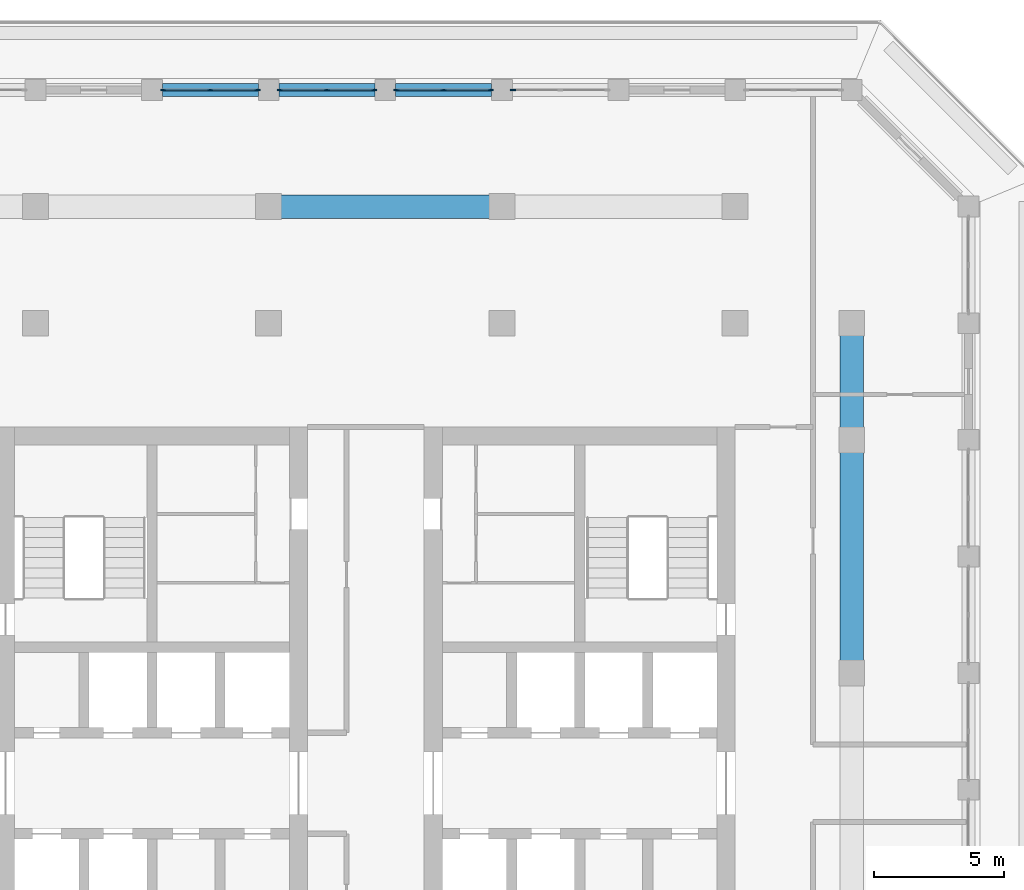
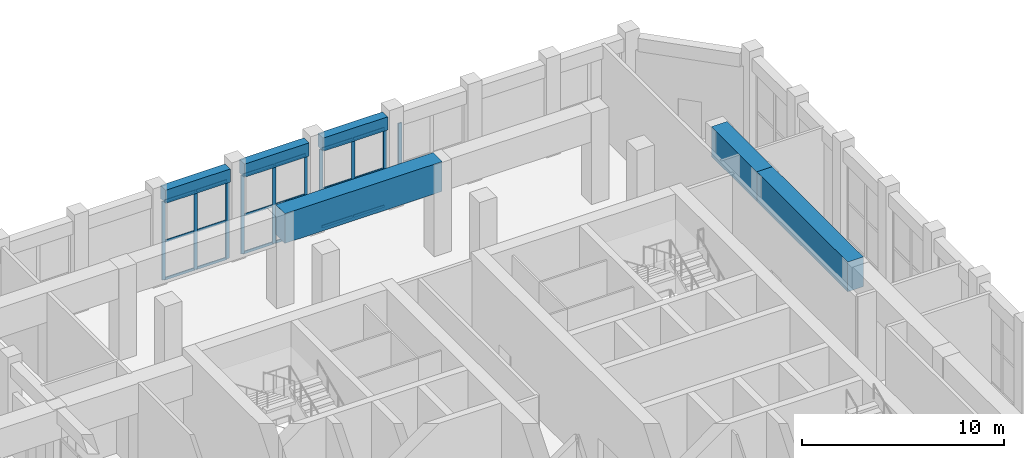
# One storey, part 7 of 25: 28 members, 6 beams, 4 elements without a shape of their own.
"""IFC4 building model written with IfcOpenShell, lengths in metres."""

from ifc_helpers import new_model, si_unit, direction, frame, origin, origin_2d, place, context, subcontext, project, spatial, rectangle, extrude, material, material_profile, profile_set, type_object, element, aggregate, save


model = new_model("IFC4")

# Units and contexts
model_context = context("Model", 3, precision=1e-05, world=origin(), true_north=direction((0.0, 1.0)))
body_context = subcontext(model_context, "Body", "Model", "MODEL_VIEW")
ifc_project = project(units=[si_unit("LENGTHUNIT", "METRE"), si_unit("AREAUNIT", "SQUARE_METRE"), si_unit("VOLUMEUNIT", "CUBIC_METRE"), si_unit("PLANEANGLEUNIT", "RADIAN"), si_unit("MASSUNIT", "GRAM", prefix="KILO")], contexts=[model_context])

# Site, building, storey
site_placement = place(None, origin())
site = spatial("IfcSite", under=ifc_project, at=site_placement, CompositionType="ELEMENT")
building_placement = place(site_placement, origin())
building = spatial("IfcBuilding", under=site, at=building_placement, Name="Corbel Stack Research Tower", CompositionType="ELEMENT")
storey_placement = place(building_placement, frame((0.0, 0.0, 260.300048828125)))
storey = spatial("IfcBuildingStorey", under=building, at=storey_placement, Name="L59", CompositionType="ELEMENT", Elevation=260.300048828125)

# Curtain wall, member
ifc_material_1 = material(Name="Aluminium frame, clear glass", Category="aluminium")
curtain_wall_type = type_object("IfcCurtainWallType", Name="Upper amenity floor curtain wall CW3", PredefinedType="NOTDEFINED", material=ifc_material_1)
curtain_wall_1_placement = place(storey_placement, origin())
curtain_wall_1 = element("IfcCurtainWall", 1, at=curtain_wall_1_placement, inside=storey, type_object=curtain_wall_type, Name="Curtain wall CW3 L59 N03", PredefinedType="NOTDEFINED")
ifc_material_2 = material(Name="Aluminium mullion", Category="aluminium")
ifc_material_profile_1 = material_profile(ifc_material_2, rectangle(XDim=0.06005859375, YDim=0.199951171875, at=origin_2d()), Name="Mullion 60 x 200")
ifc_profile_set_1 = profile_set([ifc_material_profile_1], Name="Aluminium mullion")
member_type_1 = type_object("IfcMemberType", Name="Curtain wall mullion 60 x 200", PredefinedType="MULLION", material=ifc_profile_set_1)
member_1_placement = place(storey_placement, frame((9.429931640625, 31.5, 0.0), z_axis=(0.0, 0.0, 1.0), x_axis=(0.0, -1.0, 0.0)))
member_1 = element("IfcMember", 2, at=member_1_placement, type_object=member_type_1, Name="CW3 mullion 3", PredefinedType="MULLION", context=body_context, shape_type="SweptSolid", body=[
    extrude(rectangle(XDim=0.06005859375, YDim=0.199951171875, at=origin_2d()), origin(), (0.0, 0.0, 1.0), 4.75),
])
aggregate(curtain_wall_1, [member_1])

# Curtain wall, members
curtain_wall_2_placement = place(storey_placement, origin())
curtain_wall_2 = element("IfcCurtainWall", 3, at=curtain_wall_2_placement, inside=storey, type_object=curtain_wall_type, Name="Curtain wall CW3 L59 N04", PredefinedType="NOTDEFINED")
member_2_placement = place(storey_placement, frame((8.570068359375, 31.5, 0.0), z_axis=(0.0, 0.0, 1.0), x_axis=(0.0, -1.0, 0.0)))
member_2 = element("IfcMember", 4, at=member_2_placement, type_object=member_type_1, Name="CW3 mullion 1", PredefinedType="MULLION", context=body_context, shape_type="SweptSolid", body=[
    extrude(rectangle(XDim=0.06005859375, YDim=0.199951171875, at=origin_2d()), origin(), (0.0, 0.0, 1.0), 4.75),
])
member_3_placement = place(storey_placement, frame((6.75, 31.5, 0.0), z_axis=(0.0, 0.0, 1.0), x_axis=(0.0, -1.0, 0.0)))
member_3 = element("IfcMember", 5, at=member_3_placement, type_object=member_type_1, Name="CW3 mullion 2", PredefinedType="MULLION", context=body_context, shape_type="SweptSolid", body=[
    extrude(rectangle(XDim=0.06005859375, YDim=0.199951171875, at=origin_2d()), origin(), (0.0, 0.0, 1.0), 4.75),
])
member_4_placement = place(storey_placement, frame((4.929931640625, 31.5, 0.0), z_axis=(0.0, 0.0, 1.0), x_axis=(0.0, -1.0, 0.0)))
member_4 = element("IfcMember", 6, at=member_4_placement, type_object=member_type_1, Name="CW3 mullion 3", PredefinedType="MULLION", context=body_context, shape_type="SweptSolid", body=[
    extrude(rectangle(XDim=0.06005859375, YDim=0.199951171875, at=origin_2d()), origin(), (0.0, 0.0, 1.0), 4.75),
])

curtain_wall_3_placement = place(storey_placement, origin())
curtain_wall_3 = element("IfcCurtainWall", 7, at=curtain_wall_3_placement, inside=storey, type_object=curtain_wall_type, Name="Curtain wall CW3 L59 N05", PredefinedType="NOTDEFINED")
member_5_placement = place(storey_placement, frame((4.070068359375, 31.5, 0.0), z_axis=(0.0, 0.0, 1.0), x_axis=(0.0, -1.0, 0.0)))
member_5 = element("IfcMember", 8, at=member_5_placement, type_object=member_type_1, Name="CW3 mullion 1", PredefinedType="MULLION", context=body_context, shape_type="SweptSolid", body=[
    extrude(rectangle(XDim=0.06005859375, YDim=0.199951171875, at=origin_2d()), origin(), (0.0, 0.0, 1.0), 4.75),
])
member_6_placement = place(storey_placement, frame((2.25, 31.5, 0.0), z_axis=(0.0, 0.0, 1.0), x_axis=(0.0, -1.0, 0.0)))
member_6 = element("IfcMember", 9, at=member_6_placement, type_object=member_type_1, Name="CW3 mullion 2", PredefinedType="MULLION", context=body_context, shape_type="SweptSolid", body=[
    extrude(rectangle(XDim=0.06005859375, YDim=0.199951171875, at=origin_2d()), origin(), (0.0, 0.0, 1.0), 4.75),
])
member_7_placement = place(storey_placement, frame((0.429931640625, 31.5, 0.0), z_axis=(0.0, 0.0, 1.0), x_axis=(0.0, -1.0, 0.0)))
member_7 = element("IfcMember", 10, at=member_7_placement, type_object=member_type_1, Name="CW3 mullion 3", PredefinedType="MULLION", context=body_context, shape_type="SweptSolid", body=[
    extrude(rectangle(XDim=0.06005859375, YDim=0.199951171875, at=origin_2d()), origin(), (0.0, 0.0, 1.0), 4.75),
])

curtain_wall_4_placement = place(storey_placement, origin())
curtain_wall_4 = element("IfcCurtainWall", 11, at=curtain_wall_4_placement, inside=storey, type_object=curtain_wall_type, Name="Curtain wall CW3 L59 N06", PredefinedType="NOTDEFINED")
member_8_placement = place(storey_placement, frame((-0.429931640625, 31.5, 0.0), z_axis=(0.0, 0.0, 1.0), x_axis=(0.0, -1.0, 0.0)))
member_8 = element("IfcMember", 12, at=member_8_placement, type_object=member_type_1, Name="CW3 mullion 1", PredefinedType="MULLION", context=body_context, shape_type="SweptSolid", body=[
    extrude(rectangle(XDim=0.06005859375, YDim=0.199951171875, at=origin_2d()), origin(), (0.0, 0.0, 1.0), 4.75),
])
member_9_placement = place(storey_placement, frame((-2.25, 31.5, 0.0), z_axis=(0.0, 0.0, 1.0), x_axis=(0.0, -1.0, 0.0)))
member_9 = element("IfcMember", 13, at=member_9_placement, type_object=member_type_1, Name="CW3 mullion 2", PredefinedType="MULLION", context=body_context, shape_type="SweptSolid", body=[
    extrude(rectangle(XDim=0.06005859375, YDim=0.199951171875, at=origin_2d()), origin(), (0.0, 0.0, 1.0), 4.75),
])
member_10_placement = place(storey_placement, frame((-4.070068359375, 31.5, 0.0), z_axis=(0.0, 0.0, 1.0), x_axis=(0.0, -1.0, 0.0)))
member_10 = element("IfcMember", 14, at=member_10_placement, type_object=member_type_1, Name="CW3 mullion 3", PredefinedType="MULLION", context=body_context, shape_type="SweptSolid", body=[
    extrude(rectangle(XDim=0.06005859375, YDim=0.199951171875, at=origin_2d()), origin(), (0.0, 0.0, 1.0), 4.75),
])

# Member
ifc_material_3 = material(Name="Aluminium transom", Category="aluminium")
ifc_material_profile_2 = material_profile(ifc_material_3, rectangle(XDim=0.06005859375, YDim=0.14990234375, at=origin_2d()), Name="Transom 60 x 150")
ifc_profile_set_2 = profile_set([ifc_material_profile_2], Name="Aluminium transom")
member_type_2 = type_object("IfcMemberType", Name="Curtain wall transom 60 x 150", PredefinedType="USERDEFINED", material=ifc_profile_set_2)
member_11_placement = place(storey_placement, frame((8.5400390625, 31.5, 0.030029296875), z_axis=(-1.0, 0.0, 0.0), x_axis=(0.0, -1.0, 0.0)))
member_11 = element("IfcMember", 15, at=member_11_placement, type_object=member_type_2, Name="CW3 transom 1.1", ObjectType="TRANSOM", PredefinedType="USERDEFINED", context=body_context, shape_type="SweptSolid", body=[
    extrude(rectangle(XDim=0.06005859375, YDim=0.14990234375, at=origin_2d()), origin(), (0.0, 0.0, 1.0), 1.760009765625),
])

member_12_placement = place(storey_placement, frame((8.5400390625, 31.5, 2.300048828125), z_axis=(-1.0, 0.0, 0.0), x_axis=(0.0, -1.0, 0.0)))
member_12 = element("IfcMember", 16, at=member_12_placement, type_object=member_type_2, Name="CW3 transom 1.2", ObjectType="TRANSOM", PredefinedType="USERDEFINED", context=body_context, shape_type="SweptSolid", body=[
    extrude(rectangle(XDim=0.06005859375, YDim=0.14990234375, at=origin_2d()), origin(), (0.0, 0.0, 1.0), 1.760009765625),
])

member_13_placement = place(storey_placement, frame((8.5400390625, 31.5, 4.719970703125), z_axis=(-1.0, 0.0, 0.0), x_axis=(0.0, -1.0, 0.0)))
member_13 = element("IfcMember", 17, at=member_13_placement, type_object=member_type_2, Name="CW3 transom 1.3", ObjectType="TRANSOM", PredefinedType="USERDEFINED", context=body_context, shape_type="SweptSolid", body=[
    extrude(rectangle(XDim=0.06005859375, YDim=0.14990234375, at=origin_2d()), origin(), (0.0, 0.0, 1.0), 1.760009765625),
])

member_14_placement = place(storey_placement, frame((6.719970703125, 31.5, 0.030029296875), z_axis=(-1.0, 0.0, 0.0), x_axis=(0.0, -1.0, 0.0)))
member_14 = element("IfcMember", 18, at=member_14_placement, type_object=member_type_2, Name="CW3 transom 2.1", ObjectType="TRANSOM", PredefinedType="USERDEFINED", context=body_context, shape_type="SweptSolid", body=[
    extrude(rectangle(XDim=0.06005859375, YDim=0.14990234375, at=origin_2d()), origin(), (0.0, 0.0, 1.0), 1.760009765625),
])

member_15_placement = place(storey_placement, frame((6.719970703125, 31.5, 2.300048828125), z_axis=(-1.0, 0.0, 0.0), x_axis=(0.0, -1.0, 0.0)))
member_15 = element("IfcMember", 19, at=member_15_placement, type_object=member_type_2, Name="CW3 transom 2.2", ObjectType="TRANSOM", PredefinedType="USERDEFINED", context=body_context, shape_type="SweptSolid", body=[
    extrude(rectangle(XDim=0.06005859375, YDim=0.14990234375, at=origin_2d()), origin(), (0.0, 0.0, 1.0), 1.760009765625),
])

member_16_placement = place(storey_placement, frame((6.719970703125, 31.5, 4.719970703125), z_axis=(-1.0, 0.0, 0.0), x_axis=(0.0, -1.0, 0.0)))
member_16 = element("IfcMember", 20, at=member_16_placement, type_object=member_type_2, Name="CW3 transom 2.3", ObjectType="TRANSOM", PredefinedType="USERDEFINED", context=body_context, shape_type="SweptSolid", body=[
    extrude(rectangle(XDim=0.06005859375, YDim=0.14990234375, at=origin_2d()), origin(), (0.0, 0.0, 1.0), 1.760009765625),
])

aggregate(curtain_wall_2, [member_2, member_3, member_4, member_11, member_12, member_13, member_14, member_15, member_16])

member_17_placement = place(storey_placement, frame((4.0400390625, 31.5, 0.030029296875), z_axis=(-1.0, 0.0, 0.0), x_axis=(0.0, -1.0, 0.0)))
member_17 = element("IfcMember", 21, at=member_17_placement, type_object=member_type_2, Name="CW3 transom 1.1", ObjectType="TRANSOM", PredefinedType="USERDEFINED", context=body_context, shape_type="SweptSolid", body=[
    extrude(rectangle(XDim=0.06005859375, YDim=0.14990234375, at=origin_2d()), origin(), (0.0, 0.0, 1.0), 1.760009765625),
])

member_18_placement = place(storey_placement, frame((4.0400390625, 31.5, 2.300048828125), z_axis=(-1.0, 0.0, 0.0), x_axis=(0.0, -1.0, 0.0)))
member_18 = element("IfcMember", 22, at=member_18_placement, type_object=member_type_2, Name="CW3 transom 1.2", ObjectType="TRANSOM", PredefinedType="USERDEFINED", context=body_context, shape_type="SweptSolid", body=[
    extrude(rectangle(XDim=0.06005859375, YDim=0.14990234375, at=origin_2d()), origin(), (0.0, 0.0, 1.0), 1.760009765625),
])

member_19_placement = place(storey_placement, frame((4.0400390625, 31.5, 4.719970703125), z_axis=(-1.0, 0.0, 0.0), x_axis=(0.0, -1.0, 0.0)))
member_19 = element("IfcMember", 23, at=member_19_placement, type_object=member_type_2, Name="CW3 transom 1.3", ObjectType="TRANSOM", PredefinedType="USERDEFINED", context=body_context, shape_type="SweptSolid", body=[
    extrude(rectangle(XDim=0.06005859375, YDim=0.14990234375, at=origin_2d()), origin(), (0.0, 0.0, 1.0), 1.760009765625),
])

member_20_placement = place(storey_placement, frame((2.219970703125, 31.5, 0.030029296875), z_axis=(-1.0, 0.0, 0.0), x_axis=(0.0, -1.0, 0.0)))
member_20 = element("IfcMember", 24, at=member_20_placement, type_object=member_type_2, Name="CW3 transom 2.1", ObjectType="TRANSOM", PredefinedType="USERDEFINED", context=body_context, shape_type="SweptSolid", body=[
    extrude(rectangle(XDim=0.06005859375, YDim=0.14990234375, at=origin_2d()), origin(), (0.0, 0.0, 1.0), 1.760009765625),
])

member_21_placement = place(storey_placement, frame((2.219970703125, 31.5, 2.300048828125), z_axis=(-1.0, 0.0, 0.0), x_axis=(0.0, -1.0, 0.0)))
member_21 = element("IfcMember", 25, at=member_21_placement, type_object=member_type_2, Name="CW3 transom 2.2", ObjectType="TRANSOM", PredefinedType="USERDEFINED", context=body_context, shape_type="SweptSolid", body=[
    extrude(rectangle(XDim=0.06005859375, YDim=0.14990234375, at=origin_2d()), origin(), (0.0, 0.0, 1.0), 1.760009765625),
])

member_22_placement = place(storey_placement, frame((2.219970703125, 31.5, 4.719970703125), z_axis=(-1.0, 0.0, 0.0), x_axis=(0.0, -1.0, 0.0)))
member_22 = element("IfcMember", 26, at=member_22_placement, type_object=member_type_2, Name="CW3 transom 2.3", ObjectType="TRANSOM", PredefinedType="USERDEFINED", context=body_context, shape_type="SweptSolid", body=[
    extrude(rectangle(XDim=0.06005859375, YDim=0.14990234375, at=origin_2d()), origin(), (0.0, 0.0, 1.0), 1.760009765625),
])

aggregate(curtain_wall_3, [member_5, member_6, member_7, member_17, member_18, member_19, member_20, member_21, member_22])

member_23_placement = place(storey_placement, frame((-0.4599609375, 31.5, 0.030029296875), z_axis=(-1.0, 0.0, 0.0), x_axis=(0.0, -1.0, 0.0)))
member_23 = element("IfcMember", 27, at=member_23_placement, type_object=member_type_2, Name="CW3 transom 1.1", ObjectType="TRANSOM", PredefinedType="USERDEFINED", context=body_context, shape_type="SweptSolid", body=[
    extrude(rectangle(XDim=0.06005859375, YDim=0.14990234375, at=origin_2d()), origin(), (0.0, 0.0, 1.0), 1.760009765625),
])

member_24_placement = place(storey_placement, frame((-0.4599609375, 31.5, 2.300048828125), z_axis=(-1.0, 0.0, 0.0), x_axis=(0.0, -1.0, 0.0)))
member_24 = element("IfcMember", 28, at=member_24_placement, type_object=member_type_2, Name="CW3 transom 1.2", ObjectType="TRANSOM", PredefinedType="USERDEFINED", context=body_context, shape_type="SweptSolid", body=[
    extrude(rectangle(XDim=0.06005859375, YDim=0.14990234375, at=origin_2d()), origin(), (0.0, 0.0, 1.0), 1.760009765625),
])

member_25_placement = place(storey_placement, frame((-0.4599609375, 31.5, 4.719970703125), z_axis=(-1.0, 0.0, 0.0), x_axis=(0.0, -1.0, 0.0)))
member_25 = element("IfcMember", 29, at=member_25_placement, type_object=member_type_2, Name="CW3 transom 1.3", ObjectType="TRANSOM", PredefinedType="USERDEFINED", context=body_context, shape_type="SweptSolid", body=[
    extrude(rectangle(XDim=0.06005859375, YDim=0.14990234375, at=origin_2d()), origin(), (0.0, 0.0, 1.0), 1.760009765625),
])

member_26_placement = place(storey_placement, frame((-2.280029296875, 31.5, 0.030029296875), z_axis=(-1.0, 0.0, 0.0), x_axis=(0.0, -1.0, 0.0)))
member_26 = element("IfcMember", 30, at=member_26_placement, type_object=member_type_2, Name="CW3 transom 2.1", ObjectType="TRANSOM", PredefinedType="USERDEFINED", context=body_context, shape_type="SweptSolid", body=[
    extrude(rectangle(XDim=0.06005859375, YDim=0.14990234375, at=origin_2d()), origin(), (0.0, 0.0, 1.0), 1.760009765625),
])

member_27_placement = place(storey_placement, frame((-2.280029296875, 31.5, 2.300048828125), z_axis=(-1.0, 0.0, 0.0), x_axis=(0.0, -1.0, 0.0)))
member_27 = element("IfcMember", 31, at=member_27_placement, type_object=member_type_2, Name="CW3 transom 2.2", ObjectType="TRANSOM", PredefinedType="USERDEFINED", context=body_context, shape_type="SweptSolid", body=[
    extrude(rectangle(XDim=0.06005859375, YDim=0.14990234375, at=origin_2d()), origin(), (0.0, 0.0, 1.0), 1.760009765625),
])

member_28_placement = place(storey_placement, frame((-2.280029296875, 31.5, 4.719970703125), z_axis=(-1.0, 0.0, 0.0), x_axis=(0.0, -1.0, 0.0)))
member_28 = element("IfcMember", 32, at=member_28_placement, type_object=member_type_2, Name="CW3 transom 2.3", ObjectType="TRANSOM", PredefinedType="USERDEFINED", context=body_context, shape_type="SweptSolid", body=[
    extrude(rectangle(XDim=0.06005859375, YDim=0.14990234375, at=origin_2d()), origin(), (0.0, 0.0, 1.0), 1.760009765625),
])

aggregate(curtain_wall_4, [member_8, member_9, member_10, member_23, member_24, member_25, member_26, member_27, member_28])

# Beams
ifc_material_4 = material(Name="Concrete C60/75", Category="concrete")
ifc_material_profile_3 = material_profile(ifc_material_4, rectangle(XDim=0.5, YDim=0.800048828125, at=origin_2d()), Name="RC 500 x 800")
ifc_profile_set_3 = profile_set([ifc_material_profile_3], Name="Concrete C60/75")
beam_type_1 = type_object("IfcBeamType", Name="SB-500-800-450", PredefinedType="SPANDREL", material=ifc_profile_set_3)
for number, where, z_axis, x_axis, name in (
    (33, (8.60009765625, 31.5, 5.14990234375), (-1.0, 0.0, 0.0), (0.0, -1.0, 0.0), "Spandrel beam L59-24"),
    (34, (4.10009765625, 31.5, 5.14990234375), (-1.0, 0.0, 0.0), (0.0, -1.0, 0.0), "Spandrel beam L59-25"),
    (35, (-0.39990234375, 31.5, 5.14990234375), (-1.0, 0.0, 0.0), (0.0, -1.0, 0.0), "Spandrel beam L59-26"),
):
    element("IfcBeam", number, at=place(storey_placement, frame(where, z_axis=z_axis, x_axis=x_axis)), inside=storey, type_object=beam_type_1, Name=name, PredefinedType="SPANDREL", context=body_context, shape_type="SweptSolid", body=[
        extrude(rectangle(XDim=0.5, YDim=0.800048828125, at=origin_2d()), origin(), (0.0, 0.0, 1.0), 3.7001953125),
    ])
ifc_material_5 = material(Name="Concrete C60/75", Category="concrete")
ifc_material_profile_4 = material_profile(ifc_material_5, rectangle(XDim=0.89990234375, YDim=1.800048828125, at=origin_2d()), Name="RC 900 x 1800")
ifc_profile_set_4 = profile_set([ifc_material_profile_4], Name="Concrete C60/75")
beam_type_2 = type_object("IfcBeamType", Name="TG-900-1800", PredefinedType="BEAM", material=ifc_profile_set_4)
beam_1_placement = place(storey_placement, frame((22.5, 9.0, 4.64990234375), z_axis=(0.0, 1.0, 0.0), x_axis=(-1.0, 0.0, 0.0)))
element("IfcBeam", 36, at=beam_1_placement, inside=storey, type_object=beam_type_2, Name="Transfer girder along the step L59 El9", PredefinedType="BEAM", context=body_context, shape_type="SweptSolid", body=[
    extrude(rectangle(XDim=0.89990234375, YDim=1.800048828125, at=origin_2d()), origin(), (0.0, 0.0, 1.0), 9.0),
])
beam_2_placement = place(storey_placement, frame((22.5, 18.0, 4.64990234375), z_axis=(0.0, 1.0, 0.0), x_axis=(-1.0, 0.0, 0.0)))
element("IfcBeam", 37, at=beam_2_placement, inside=storey, type_object=beam_type_2, Name="Transfer girder along the step L59 El18", PredefinedType="BEAM", context=body_context, shape_type="SweptSolid", body=[
    extrude(rectangle(XDim=0.89990234375, YDim=1.800048828125, at=origin_2d()), origin(), (0.0, 0.0, 1.0), 4.5),
])
beam_3_placement = place(storey_placement, frame((0.0, 27.0, 4.64990234375), z_axis=(1.0, 0.0, 0.0), x_axis=(0.0, 1.0, 0.0)))
element("IfcBeam", 38, at=beam_3_placement, inside=storey, type_object=beam_type_2, Name="Transfer girder along the step L59 Nl0", PredefinedType="BEAM", context=body_context, shape_type="SweptSolid", body=[
    extrude(rectangle(XDim=0.89990234375, YDim=1.800048828125, at=origin_2d()), origin(), (0.0, 0.0, 1.0), 9.0),
])

save(model, "model.ifc")
